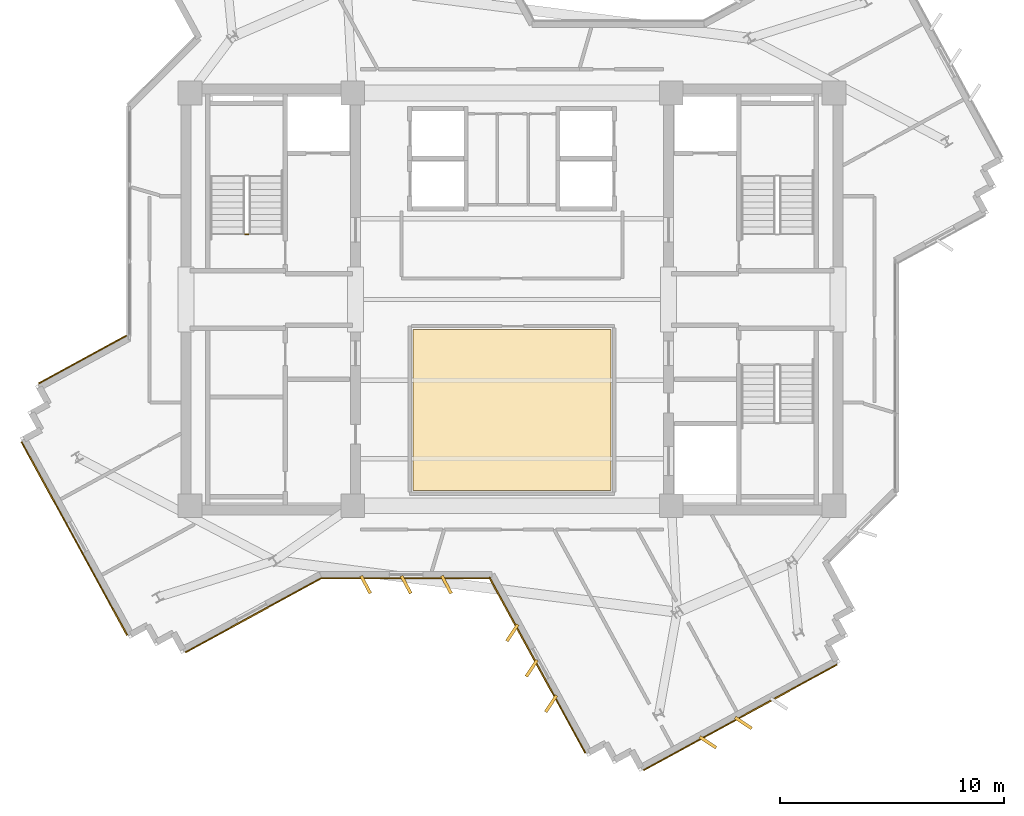
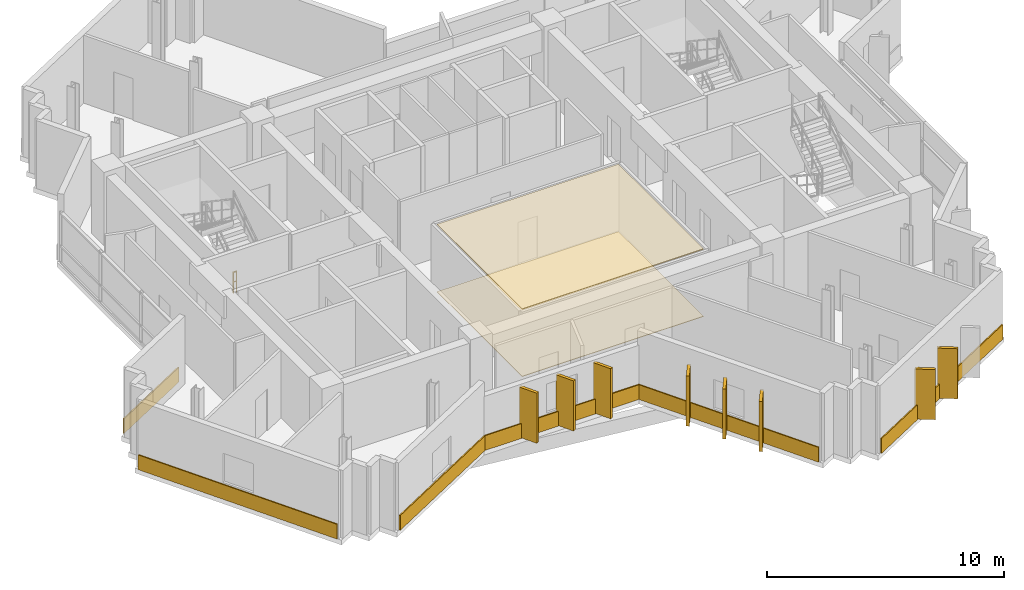
# One storey, part 10 of 13: 16 coverings, 1 railing.
"""IFC4 building model written with IfcOpenShell, lengths in metres."""

from ifc_helpers import new_model, si_unit, direction, frame, origin, origin_2d, place, context, subcontext, project, spatial, polyline, rectangle, outline, extrude, source, transform, mapped, material, layer, layer_set, type_object, element, save


model = new_model("IFC4")

# Units and contexts
model_context = context("Model", 3, precision=1e-05, world=origin(), true_north=direction((0.0, 1.0)))
body_context = subcontext(model_context, "Body", "Model", "MODEL_VIEW")
ifc_project = project(units=[si_unit("LENGTHUNIT", "METRE"), si_unit("AREAUNIT", "SQUARE_METRE"), si_unit("VOLUMEUNIT", "CUBIC_METRE"), si_unit("PLANEANGLEUNIT", "RADIAN"), si_unit("MASSUNIT", "GRAM", prefix="KILO")], contexts=[model_context])

# Site, building, storey
site_placement = place(None, origin())
site = spatial("IfcSite", under=ifc_project, at=site_placement, CompositionType="ELEMENT")
building_placement = place(site_placement, origin())
building = spatial("IfcBuilding", under=site, at=building_placement, Name="Zahravan Cultural Tower", CompositionType="ELEMENT")
storey_placement = place(building_placement, frame((0.0, 0.0, 254.10009765625)))
storey = spatial("IfcBuildingStorey", under=building, at=storey_placement, Name="L60", CompositionType="ELEMENT", Elevation=254.10009765625)

# Coverings
ifc_material_1 = material(Name="Acoustic mineral fibreboard")
ifc_layer_1 = layer(ifc_material_1, 0.0400390625)
ifc_layer_set_1 = layer_set([ifc_layer_1], Name="Acoustic mineral fibreboard")
covering_type_1 = type_object("IfcCoveringType", Name="COV-CEIL-AC20", PredefinedType="CEILING", material=ifc_layer_set_1)
covering_1_placement = place(storey_placement, frame((0.0, 0.0, 3.4599609375)))
element("IfcCovering", 1, at=covering_1_placement, inside=storey, type_object=covering_type_1, Name="L60 Acoustic Suspended Ceiling", PredefinedType="CEILING", context=body_context, shape_type="SweptSolid", body=[
    extrude(outline(polyline([(40.419921875, 25.669921875), (31.580078125, 25.669921875), (31.580078125, 18.47998046875), (40.419921875, 18.47998046875), (40.419921875, 25.669921875)])), origin(), (0.0, 0.0, 1.0), 0.0400390625),
])
ifc_material_2 = material(Name="Terrazzo flooring")
ifc_layer_2 = layer(ifc_material_2, 0.02490234375)
ifc_layer_set_2 = layer_set([ifc_layer_2], Name="Terrazzo flooring")
covering_type_2 = type_object("IfcCoveringType", Name="COV-FLR-TZ25", PredefinedType="FLOORING", material=ifc_layer_set_2)
covering_2_placement = place(storey_placement, origin())
element("IfcCovering", 2, at=covering_2_placement, inside=storey, type_object=covering_type_2, Name="L60 Polished Terrazzo Flooring", PredefinedType="FLOORING", context=body_context, shape_type="SweptSolid", body=[
    extrude(outline(polyline([(40.419921875, 25.669921875), (31.580078125, 25.669921875), (31.580078125, 18.47998046875), (40.419921875, 18.47998046875), (40.419921875, 25.669921875)])), origin(), (0.0, 0.0, 1.0), 0.02490234375),
])

# Railing
ifc_material_3 = material(Name="Steel ASTM A572 Grade 50", Category="steel")
railing_type = type_object("IfcRailingType", Name="RL-STAIR-GRD1150", PredefinedType="BALUSTRADE", material=ifc_material_3)
railing_placement = place(storey_placement, frame((24.25, 29.89990234375, 0.0)))
element("IfcRailing", 3, at=railing_placement, inside=storey, type_object=railing_type, Name="L60 ST-W1 stair guard 4", PredefinedType="BALUSTRADE", context=body_context, shape_type="SweptSolid", body=[
    extrude(rectangle(XDim=0.05, YDim=0.05, at=origin_2d()), frame((0.0, 0.0, 1.0751953125), z_axis=(-1.0, 0.0, 0.0), x_axis=(0.0, -1.0, 0.0)), (0.0, 0.0, 1.0), 0.14990234375),
    extrude(rectangle(XDim=0.032, YDim=0.032, at=origin_2d()), frame((0.0, 0.0, 0.572021484375), z_axis=(-1.0, 0.0, 0.0), x_axis=(0.0, -1.0, 0.0)), (0.0, 0.0, 1.0), 0.14990234375),
    extrude(rectangle(XDim=0.04, YDim=0.04, at=origin_2d()), origin(), (0.0, 0.0, 1.0), 1.10009765625),
    extrude(rectangle(XDim=0.04, YDim=0.04, at=origin_2d()), frame((-0.14990234375, 0.0, 0.0)), (0.0, 0.0, 1.0), 1.10009765625),
])

# Coverings
ifc_material_4 = material(Name="Terracotta ceramic cladding", Category="masonry")
ifc_layer_3 = layer(ifc_material_4, 0.06005859375)
ifc_layer_set_3 = layer_set([ifc_layer_3], Name="Terracotta ceramic cladding")
covering_type_3 = type_object("IfcCoveringType", Name="COV-CLAD-TC60", PredefinedType="CLADDING", material=ifc_layer_set_3)
shared_shape_1 = source(origin(), body_context, "Body", "SweptSolid", [
    extrude(rectangle(XDim=9.820068359375, YDim=0.06005859375, at=origin_2d()), origin(), (0.0, 0.0, 1.0), 0.760009765625),
])
for number, where, z_axis, x_axis, name in (
    (4, (46.176513671875, 8.373779296875, 0.02001953125), (0.0, 0.0, 1.0), (-0.877564903719, -0.479457860256, 0.0), "L60 Terracotta Spandrel Cladding 18"),
    (5, (16.49609375, 16.343994140625, 0.02001953125), (0.0, 0.0, 1.0), (-0.479457860256, 0.877564903719, 0.0), "L60 Terracotta Spandrel Cladding 30"),
):
    element("IfcCovering", number, at=place(storey_placement, frame(where, z_axis=z_axis, x_axis=x_axis)), inside=storey, type_object=covering_type_3, Name=name, PredefinedType="CLADDING", context=body_context, shape_type="MappedRepresentation", body=[
        mapped(shared_shape_1, transform((0.0, 0.0, 0.0), x_axis=(1.0, 0.0, 0.0), y_axis=(0.0, 1.0, 0.0), z_axis=(0.0, 0.0, 1.0), scale=1.0)),
    ])
shared_shape_2 = source(origin(), body_context, "Body", "SweptSolid", [
    extrude(rectangle(XDim=0.8798828125, YDim=0.139892578125, at=origin_2d()), origin(), (0.0, 0.0, 1.0), 2.580078125),
])
for number, where, z_axis, x_axis, name in (
    (6, (46.31298828125, 8.12353515625, 0.0498046875), (0.0, 0.0, 1.0), (0.835327930385, -0.549751988372, 0.0), "L60 Herringbone Terracotta Fin 10"),
    (7, (44.7333984375, 7.260498046875, 0.0498046875), (0.0, 0.0, 1.0), (0.835327930385, -0.549751988372, 0.0), "L60 Herringbone Terracotta Fin 11"),
    (8, (37.741455078125, 8.983154296875, 0.0498046875), (0.0, 0.0, 1.0), (-0.549751988372, -0.835327930385, 0.0), "L60 Herringbone Terracotta Fin 12"),
    (9, (36.87841796875, 10.562744140625, 0.0498046875), (0.0, 0.0, 1.0), (-0.549751988372, -0.835327930385, 0.0), "L60 Herringbone Terracotta Fin 13"),
    (10, (36.015380859375, 12.142578125, 0.0498046875), (0.0, 0.0, 1.0), (-0.549751988372, -0.835327930385, 0.0), "L60 Herringbone Terracotta Fin 14"),
    (11, (33.079833984375, 14.2900390625, 0.0498046875), (0.0, 0.0, 1.0), (0.469471562786, -0.882947592859, 0.0), "L60 Herringbone Terracotta Fin 15"),
    (12, (31.27978515625, 14.2900390625, 0.0498046875), (0.0, 0.0, 1.0), (0.469471562786, -0.882947592859, 0.0), "L60 Herringbone Terracotta Fin 16"),
    (13, (29.47998046875, 14.2900390625, 0.0498046875), (0.0, 0.0, 1.0), (0.469471562786, -0.882947592859, 0.0), "L60 Herringbone Terracotta Fin 17"),
):
    element("IfcCovering", number, at=place(storey_placement, frame(where, z_axis=z_axis, x_axis=x_axis)), inside=storey, type_object=covering_type_3, Name=name, PredefinedType="CLADDING", context=body_context, shape_type="MappedRepresentation", body=[
        mapped(shared_shape_2, transform((0.0, 0.0, 0.0), x_axis=(1.0, 0.0, 0.0), y_axis=(0.0, 1.0, 0.0), z_axis=(0.0, 0.0, 1.0), scale=1.0)),
    ])
shared_shape_3 = source(origin(), body_context, "Body", "SweptSolid", [
    extrude(rectangle(XDim=6.87939453125, YDim=0.06005859375, at=origin_2d()), origin(), (0.0, 0.0, 1.0), 0.760009765625),
])
covering_3_placement = place(storey_placement, frame((24.467529296875, 12.922119140625, 0.02001953125), z_axis=(0.0, 0.0, 1.0), x_axis=(-0.877564903719, -0.479457860256, 0.0)))
element("IfcCovering", 14, at=covering_3_placement, inside=storey, type_object=covering_type_3, Name="L60 Terracotta Spandrel Cladding 25", PredefinedType="CLADDING", context=body_context, shape_type="MappedRepresentation", body=[
    mapped(shared_shape_3, transform((0.0, 0.0, 0.0), x_axis=(1.0, 0.0, 0.0), y_axis=(0.0, 1.0, 0.0), z_axis=(0.0, 0.0, 1.0), scale=1.0)),
])
shared_shape_4 = source(origin(), body_context, "Body", "SweptSolid", [
    extrude(rectangle(XDim=4.45849609375, YDim=0.06005859375, at=origin_2d()), origin(), (0.0, 0.0, 1.0), 0.760009765625),
])
covering_4_placement = place(storey_placement, frame((16.860595703125, 24.320556640625, 0.02001953125), z_axis=(0.0, 0.0, 1.0), x_axis=(0.877564903719, 0.479457860256, 0.0)))
element("IfcCovering", 15, at=covering_4_placement, inside=storey, type_object=covering_type_3, Name="L60 Terracotta Spandrel Cladding 35", PredefinedType="CLADDING", context=body_context, shape_type="MappedRepresentation", body=[
    mapped(shared_shape_4, transform((0.0, 0.0, 0.0), x_axis=(1.0, 0.0, 0.0), y_axis=(0.0, 1.0, 0.0), z_axis=(0.0, 0.0, 1.0), scale=1.0)),
])
shared_shape_5 = source(origin(), body_context, "Body", "SweptSolid", [
    extrude(rectangle(XDim=8.92822265625, YDim=0.06005859375, at=origin_2d()), origin(), (0.0, 0.0, 1.0), 0.760009765625),
])
covering_5_placement = place(storey_placement, frame((37.128662109375, 10.699462890625, 0.02001953125), z_axis=(0.0, 0.0, 1.0), x_axis=(-0.479457860256, 0.877564903719, 0.0)))
element("IfcCovering", 16, at=covering_5_placement, inside=storey, type_object=covering_type_3, Name="L60 Terracotta Spandrel Cladding 23", PredefinedType="CLADDING", context=body_context, shape_type="MappedRepresentation", body=[
    mapped(shared_shape_5, transform((0.0, 0.0, 0.0), x_axis=(1.0, 0.0, 0.0), y_axis=(0.0, 1.0, 0.0), z_axis=(0.0, 0.0, 1.0), scale=1.0)),
])
shared_shape_6 = source(origin(), body_context, "Body", "SweptSolid", [
    extrude(rectangle(XDim=7.55810546875, YDim=0.06005859375, at=origin_2d()), origin(), (0.0, 0.0, 1.0), 0.760009765625),
])
covering_6_placement = place(storey_placement, frame((31.27978515625, 14.574951171875, 0.02001953125), z_axis=(0.0, 0.0, 1.0), x_axis=(-1.0, 0.0, 0.0)))
element("IfcCovering", 17, at=covering_6_placement, inside=storey, type_object=covering_type_3, Name="L60 Terracotta Spandrel Cladding 24", PredefinedType="CLADDING", context=body_context, shape_type="MappedRepresentation", body=[
    mapped(shared_shape_6, transform((0.0, 0.0, 0.0), x_axis=(1.0, 0.0, 0.0), y_axis=(0.0, 1.0, 0.0), z_axis=(0.0, 0.0, 1.0), scale=1.0)),
])

save(model, "model.ifc")
